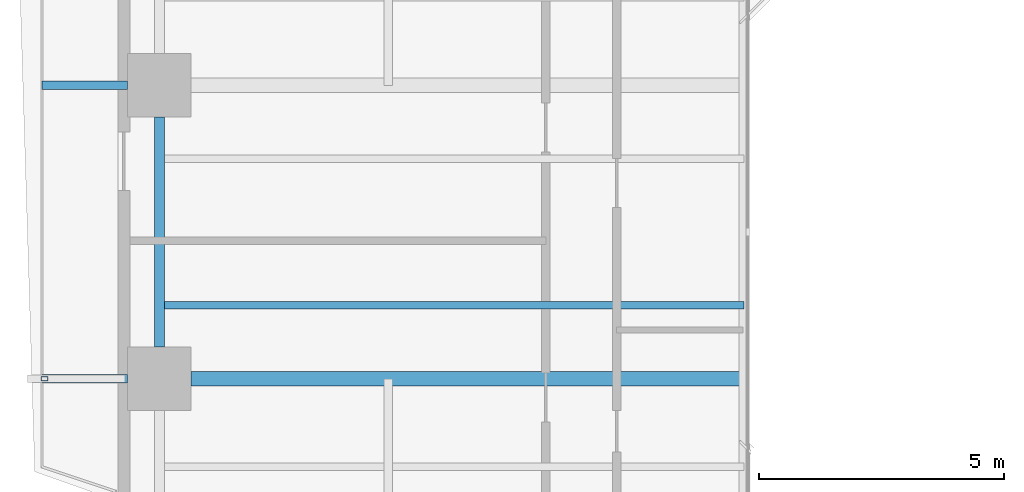
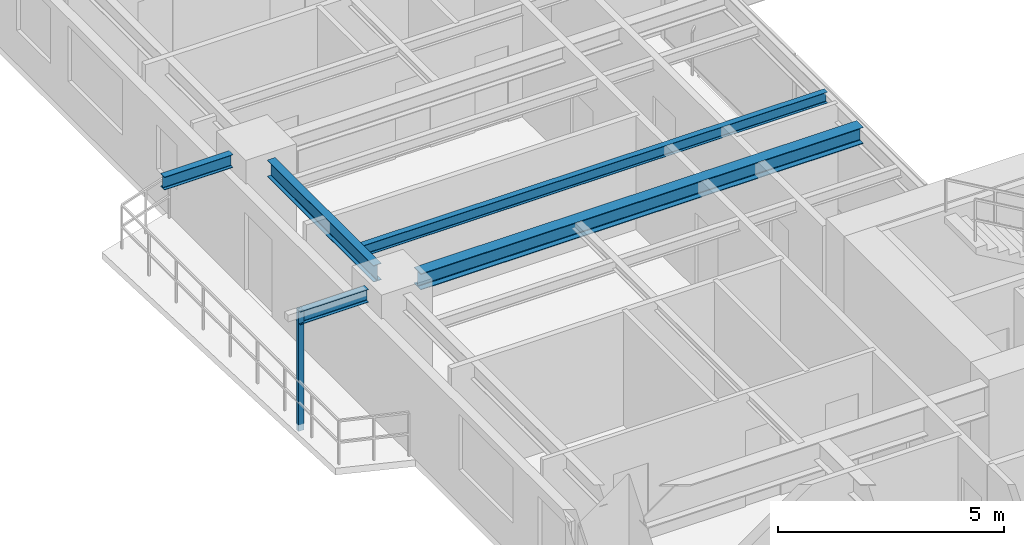
# One storey, part 3 of 23: 5 beams, 1 member.
"""IFC4 building model written with IfcOpenShell, lengths in metres."""

import ifcopenshell
import ifcopenshell.guid

model = None  # the IFC model being written
_history = None  # IfcOwnerHistory: only IFC2X3 demands one
_inside = {}  # id of a spatial element -> (the spatial element, [elements in it])
_under = {}  # id of a project, library or spatial element -> (it, [spatial elements below it])
_declared = {}  # id of a project -> (the project, [libraries it declares])
_typed = {}  # id of a type object -> (the type object, [elements of that type])
_made_of = {}  # id of a material, layer set ... -> (it, [elements and type objects made of it])


def new_model(schema):
    """Start an empty IFC model of exactly this schema.

    Asked for "IFC4X3", IfcOpenShell would pick the latest addendum, in which some entities
    have other attributes; the version numbers below select the first issue.
    IFC2X3 requires an IfcOwnerHistory on every rooted entity: one is made here for all.
    """
    global model, _history
    if schema == "IFC4X3":
        model = ifcopenshell.file(schema_version=(4, 3, 0, 0))
    else:
        model = ifcopenshell.file(schema=schema)
    _inside.clear()
    _under.clear()
    _declared.clear()
    _typed.clear()
    _made_of.clear()
    _history = None
    if model.schema == "IFC2X3":
        org = make("IfcOrganization", Name="unknown")
        user = make(
            "IfcPersonAndOrganization",
            ThePerson=make("IfcPerson", FamilyName="unknown"),
            TheOrganization=org,
        )
        app = make(
            "IfcApplication",
            ApplicationDeveloper=org,
            Version="unknown",
            ApplicationFullName="unknown",
            ApplicationIdentifier="unknown",
        )
        _history = make(
            "IfcOwnerHistory",
            OwningUser=user,
            OwningApplication=app,
            ChangeAction="ADDED",
            CreationDate=0,
        )
    return model


def make(cls, **values):
    """One entity of the class cls with the attributes given. An attribute that is None is left unset."""
    return model.create_entity(
        cls, **{name: value for name, value in values.items() if value is not None}
    )


def rooted(cls, **values):
    """An entity with a GlobalId (a new one), such as an element, a storey or a relation."""
    return make(cls, GlobalId=ifcopenshell.guid.new(), OwnerHistory=_history, **values)


def si_unit(unit_type, name, prefix=None):
    """IfcSIUnit, for example si_unit("LENGTHUNIT", "METRE", prefix="MILLI")."""
    return make("IfcSIUnit", UnitType=unit_type, Prefix=prefix, Name=name)


def assignment(units):
    """IfcUnitAssignment: the units of a project."""
    return None if units is None else make("IfcUnitAssignment", Units=units)


def point(xyz):
    """IfcCartesianPoint."""
    return None if xyz is None else make("IfcCartesianPoint", Coordinates=xyz)


def direction(xyz):
    """IfcDirection."""
    return None if xyz is None else make("IfcDirection", DirectionRatios=xyz)


def frame(location, z_axis=None, x_axis=None):
    """IfcAxis2Placement3D, a coordinate frame: its origin and axes. An axis left out is left unset."""
    return make(
        "IfcAxis2Placement3D",
        Location=point(location),
        Axis=direction(z_axis),
        RefDirection=direction(x_axis),
    )


def frame_2d(location, x_axis=None):
    """IfcAxis2Placement2D, a coordinate frame in the plane: its origin and x axis."""
    return make(
        "IfcAxis2Placement2D", Location=point(location), RefDirection=direction(x_axis)
    )


def origin():
    """The frame at (0, 0, 0) with its axes left unset."""
    return frame((0.0, 0.0, 0.0))


def origin_2d():
    """The frame at (0, 0) in the plane with its x axis left unset."""
    return frame_2d((0.0, 0.0))


def place(relative_to, where):
    """IfcLocalPlacement: puts the frame where relative to a parent placement (None: the world)."""
    return make(
        "IfcLocalPlacement", PlacementRelTo=relative_to, RelativePlacement=where
    )


def context(
    kind, dimensions, precision=None, world=None, true_north=None, identifier=None
):
    """IfcGeometricRepresentationContext, for example the 3D "Model" context."""
    return make(
        "IfcGeometricRepresentationContext",
        ContextIdentifier=identifier,
        ContextType=kind,
        CoordinateSpaceDimension=dimensions,
        Precision=precision,
        WorldCoordinateSystem=world,
        TrueNorth=true_north,
    )


def subcontext(parent, identifier, kind, view, scale=None):
    """IfcGeometricRepresentationSubContext, for example "Body" below "Model"."""
    return make(
        "IfcGeometricRepresentationSubContext",
        ContextIdentifier=identifier,
        ContextType=kind,
        ParentContext=parent,
        TargetScale=scale,
        TargetView=view,
    )


def project(units=None, contexts=None):
    """IfcProject with its units and contexts."""
    return rooted(
        "IfcProject",
        Name="project",
        RepresentationContexts=contexts,
        UnitsInContext=assignment(units),
    )


def spatial(cls, under=None, at=None, **own):
    """A site, building, storey or space (cls), placed at a placement, below another one or the project."""
    s = rooted(cls, ObjectPlacement=at, **own)
    if under is not None:
        _under.setdefault(under.id(), (under, []))[1].append(s)
    return s


def profile(cls, at=None, kind="AREA", **sizes):
    """A parametric profile (cls). Its sizes go by their IFC names, for example OverallWidth=200.0."""
    return make(cls, ProfileType=kind, Position=at, **sizes)


def hollow_rectangle(**sizes):
    """IfcRectangleHollowProfileDef."""
    return profile("IfcRectangleHollowProfileDef", **sizes)


def i_section(**sizes):
    """IfcIShapeProfileDef."""
    return profile("IfcIShapeProfileDef", **sizes)


def extrude(swept, where, along, depth):
    """IfcExtrudedAreaSolid: the profile swept, set in the frame where, extruded along a direction by depth."""
    return make(
        "IfcExtrudedAreaSolid",
        SweptArea=swept,
        Position=where,
        ExtrudedDirection=direction(along),
        Depth=depth,
    )


def shape(context_of_items, identifier, shape_type, items):
    """IfcShapeRepresentation: the items that make up one representation, for example the "Body"."""
    return make(
        "IfcShapeRepresentation",
        ContextOfItems=context_of_items,
        RepresentationIdentifier=identifier,
        RepresentationType=shape_type,
        Items=items,
    )


def source(mapping_origin, context_of_items, identifier, shape_type, items):
    """IfcRepresentationMap: a shape defined once, which mapped items show again and again."""
    return make(
        "IfcRepresentationMap",
        MappingOrigin=mapping_origin,
        MappedRepresentation=shape(context_of_items, identifier, shape_type, items),
    )


def transform(
    local_origin,
    x_axis=None,
    y_axis=None,
    z_axis=None,
    scale=None,
    scale2=None,
    scale3=None,
    uniform=True,
):
    """IfcCartesianTransformationOperator3D, or its non-uniform kind. x_axis, y_axis, z_axis: its Axis1, 2, 3."""
    if uniform:
        return make(
            "IfcCartesianTransformationOperator3D",
            Axis1=direction(x_axis),
            Axis2=direction(y_axis),
            LocalOrigin=point(local_origin),
            Scale=scale,
            Axis3=direction(z_axis),
        )
    return make(
        "IfcCartesianTransformationOperator3DnonUniform",
        Axis1=direction(x_axis),
        Axis2=direction(y_axis),
        LocalOrigin=point(local_origin),
        Scale=scale,
        Axis3=direction(z_axis),
        Scale2=scale2,
        Scale3=scale3,
    )


def mapped(mapping_source, mapping_target):
    """IfcMappedItem: shows the shape of a source again, moved by a transform."""
    return make(
        "IfcMappedItem", MappingSource=mapping_source, MappingTarget=mapping_target
    )


def material(Name=None, Category=None):
    """IfcMaterial."""
    return make("IfcMaterial", Name=Name, Category=Category)


def material_profile(
    of_material, cross_section, Name=None, Category=None, Priority=None
):
    """IfcMaterialProfile: a cross section and its material."""
    return make(
        "IfcMaterialProfile",
        Name=Name,
        Material=of_material,
        Profile=cross_section,
        Priority=Priority,
        Category=Category,
    )


def profile_set(profiles, Name=None, composite=None):
    """IfcMaterialProfileSet."""
    return make(
        "IfcMaterialProfileSet",
        Name=Name,
        MaterialProfiles=profiles,
        CompositeProfile=composite,
    )


def made_of(thing, what):
    """Note that an element or type object is made of a material, layer set ...; save() writes the relation."""
    if what is not None:
        _made_of.setdefault(what.id(), (what, []))[1].append(thing)
    return thing


def type_object(cls, material=None, **own):
    """A type object (cls), such as IfcWallType, which elements share."""
    return made_of(rooted(cls, **own), material)


def element(
    cls,
    number,
    at=None,
    inside=None,
    cuts=None,
    type_object=None,
    material=None,
    context=None,
    identifier="Body",
    shape_type=None,
    held_by="IfcProductDefinitionShape",
    body=None,
    shapes=None,
    **own,
):
    """One element of the class cls, such as IfcWall. Its Tag is "e" and its number.

    at: its placement. inside: the storey or other place that contains it. cuts: it is an
    opening in that element (IfcRelVoidsElement). A single representation is given by context,
    identifier, shape_type and body (its items); several are given by shapes. held_by: the class
    of the entity that holds the representations. save() writes the other relations.
    """
    e = rooted(cls, Tag="e%d" % number, ObjectPlacement=at, **own)
    if body is not None:
        shapes = [shape(context, identifier, shape_type, body)]
    if shapes is not None:
        e.Representation = make(held_by, Representations=shapes)
    if inside is not None:
        _inside.setdefault(inside.id(), (inside, []))[1].append(e)
    if cuts is not None:
        rooted(
            "IfcRelVoidsElement", RelatingBuildingElement=cuts, RelatedOpeningElement=e
        )
    if type_object is not None:
        _typed.setdefault(type_object.id(), (type_object, []))[1].append(e)
    return made_of(e, material)


def aggregate(whole, parts):
    """IfcRelAggregates: a whole, such as a stair, and the parts it consists of."""
    return rooted("IfcRelAggregates", RelatingObject=whole, RelatedObjects=parts)


def save(model, path):
    """Write the relations noted so far, then the file.

    IfcRelAggregates (storeys below a building ...), IfcRelContainedInSpatialStructure (elements
    in a storey), IfcRelDefinesByType, IfcRelAssociatesMaterial and IfcRelDeclares: one each for
    every whole, place, type object, material and project.
    """
    for whole, parts in _under.values():
        aggregate(whole, parts)
    for where, things in _inside.values():
        rooted(
            "IfcRelContainedInSpatialStructure",
            RelatedElements=things,
            RelatingStructure=where,
        )
    for kind, things in _typed.values():
        rooted("IfcRelDefinesByType", RelatedObjects=things, RelatingType=kind)
    for what, things in _made_of.values():
        rooted("IfcRelAssociatesMaterial", RelatedObjects=things, RelatingMaterial=what)
    for by, libraries in _declared.values():
        rooted("IfcRelDeclares", RelatingContext=by, RelatedDefinitions=libraries)
    model.write(path)


model = new_model("IFC4")

# Units and contexts
model_context = context("Model", 3, precision=1e-05, world=origin(), true_north=direction((0.0, 1.0)))
body_context = subcontext(model_context, "Body", "Model", "MODEL_VIEW")
ifc_project = project(units=[si_unit("LENGTHUNIT", "METRE"), si_unit("AREAUNIT", "SQUARE_METRE"), si_unit("VOLUMEUNIT", "CUBIC_METRE"), si_unit("PLANEANGLEUNIT", "RADIAN"), si_unit("MASSUNIT", "GRAM", prefix="KILO"), si_unit("THERMODYNAMICTEMPERATUREUNIT", "KELVIN"), si_unit("POWERUNIT", "WATT")], contexts=[model_context])

# Site, building, storey
site_placement = place(None, origin())
site = spatial("IfcSite", under=ifc_project, at=site_placement, CompositionType="ELEMENT")
building_placement = place(site_placement, origin())
building = spatial("IfcBuilding", under=site, at=building_placement, Name="Qiaomeng Ring Towers", CompositionType="ELEMENT")
storey_placement = place(building_placement, frame((0.0, 0.0, 60.0)))
storey = spatial("IfcBuildingStorey", under=building, at=storey_placement, Name="L16", CompositionType="ELEMENT", Elevation=60.0)

# Beams
ifc_material_1 = material(Name="Steel Q355B", Category="steel")
ifc_material_profile_1 = material_profile(ifc_material_1, i_section(OverallWidth=0.199951171875, OverallDepth=0.449951171875, WebThickness=0.009033203125, FlangeThickness=0.013916015625, FilletRadius=0.01806640625, at=origin_2d()), Name="HN 450x200x9x14")
ifc_profile_set_1 = profile_set([ifc_material_profile_1], Name="Steel Q355B")
beam_type_1 = type_object("IfcBeamType", Name="STR-BM-HN450", PredefinedType="SPANDREL", material=ifc_profile_set_1)
shared_shape_1 = source(origin(), body_context, "Body", "SweptSolid", [
    extrude(i_section(OverallWidth=0.199951171875, OverallDepth=0.449951171875, WebThickness=0.009033203125, FlangeThickness=0.013916015625, FilletRadius=0.01806640625, at=origin_2d()), origin(), (0.0, 0.0, 1.0), 4.7021484375),
])
beam_1_placement = place(storey_placement, frame((0.85009765625, 25.35107421875, 2.844970703125), z_axis=(0.0, -1.0, 0.0), x_axis=(1.0, 0.0, 0.0)))
element("IfcBeam", 1, at=beam_1_placement, inside=storey, type_object=beam_type_1, Name="L16 beam STR-SP-L16-T1-W3-W2", PredefinedType="SPANDREL", context=body_context, shape_type="MappedRepresentation", body=[
    mapped(shared_shape_1, transform((0.0, 0.0, 0.0), x_axis=(1.0, 0.0, 0.0), y_axis=(0.0, 1.0, 0.0), z_axis=(0.0, 0.0, 1.0), scale=1.0)),
])
ifc_material_profile_2 = material_profile(ifc_material_1, i_section(OverallWidth=0.300048828125, OverallDepth=0.43994140625, WebThickness=0.010986328125, FlangeThickness=0.01806640625, FilletRadius=0.02392578125, at=origin_2d()), Name="HM 440x300x11x18")
ifc_profile_set_2 = profile_set([ifc_material_profile_2], Name="Steel Q355B")
beam_type_2 = type_object("IfcBeamType", Name="STR-BM-HM440", PredefinedType="BEAM", material=ifc_profile_set_2)
shared_shape_2 = source(origin(), body_context, "Body", "SweptSolid", [
    extrude(i_section(OverallWidth=0.300048828125, OverallDepth=0.43994140625, WebThickness=0.010986328125, FlangeThickness=0.01806640625, FilletRadius=0.02392578125, at=origin_2d()), origin(), (0.0, 0.0, 1.0), 11.301025390625),
])
beam_2_placement = place(storey_placement, frame((1.4990234375, 20.0, 2.85009765625), z_axis=(1.0, 0.0, 0.0), x_axis=(0.0, 1.0, 0.0)))
element("IfcBeam", 2, at=beam_2_placement, inside=storey, type_object=beam_type_2, Name="L16 beam STR-BM-L16-T1-RAD-W2", PredefinedType="BEAM", context=body_context, shape_type="MappedRepresentation", body=[
    mapped(shared_shape_2, transform((0.0, 0.0, 0.0), x_axis=(1.0, 0.0, 0.0), y_axis=(0.0, 1.0, 0.0), z_axis=(0.0, 0.0, 1.0), scale=1.0)),
])
ifc_material_profile_3 = material_profile(ifc_material_1, i_section(OverallWidth=0.175048828125, OverallDepth=0.35009765625, WebThickness=0.007080078125, FlangeThickness=0.010986328125, FilletRadius=0.013916015625, at=origin_2d()), Name="HN 350x175x7x11")
ifc_profile_set_3 = profile_set([ifc_material_profile_3], Name="Steel Q355B")
beam_type_3 = type_object("IfcBeamType", Name="STR-BM-HN350", PredefinedType="JOIST", material=ifc_profile_set_3)
shared_shape_3 = source(origin(), body_context, "Body", "SweptSolid", [
    extrude(i_section(OverallWidth=0.175048828125, OverallDepth=0.35009765625, WebThickness=0.007080078125, FlangeThickness=0.010986328125, FilletRadius=0.013916015625, at=origin_2d()), origin(), (0.0, 0.0, 1.0), 1.7509765625),
])
for number, where, z_axis, x_axis, name in (
    (3, (-1.550048828125, 20.0, 2.89501953125), (1.0, 0.0, 0.0), (0.0, 1.0, 0.0), "L16 beam STR-BALBM-L16-W2"),
    (4, (-1.550048828125, 26.0, 2.89501953125), (1.0, 0.0, 0.0), (0.0, 1.0, 0.0), "L16 beam STR-BALBM-L16-W3"),
):
    element("IfcBeam", number, at=place(storey_placement, frame(where, z_axis=z_axis, x_axis=x_axis)), inside=storey, type_object=beam_type_3, Name=name, PredefinedType="JOIST", context=body_context, shape_type="MappedRepresentation", body=[
        mapped(shared_shape_3, transform((0.0, 0.0, 0.0), x_axis=(1.0, 0.0, 0.0), y_axis=(0.0, 1.0, 0.0), z_axis=(0.0, 0.0, 1.0), scale=1.0)),
    ])
ifc_material_profile_4 = material_profile(ifc_material_1, i_section(OverallWidth=0.14990234375, OverallDepth=0.300048828125, WebThickness=0.006591796875, FlangeThickness=0.009033203125, FilletRadius=0.012939453125, at=origin_2d()), Name="HN 300x150x6.5x9")
ifc_profile_set_4 = profile_set([ifc_material_profile_4], Name="Steel Q355B")
beam_type_4 = type_object("IfcBeamType", Name="STR-BM-HN300", PredefinedType="JOIST", material=ifc_profile_set_4)
shared_shape_4 = source(origin(), body_context, "Body", "SweptSolid", [
    extrude(i_section(OverallWidth=0.14990234375, OverallDepth=0.300048828125, WebThickness=0.006591796875, FlangeThickness=0.009033203125, FilletRadius=0.012939453125, at=origin_2d()), origin(), (0.0, 0.0, 1.0), 11.949951171875),
])
beam_3_placement = place(storey_placement, frame((0.85009765625, 21.5, 2.919921875), z_axis=(1.0, 0.0, 0.0), x_axis=(0.0, 1.0, 0.0)))
element("IfcBeam", 5, at=beam_3_placement, inside=storey, type_object=beam_type_4, Name="L16 beam STR-JST-L16-T1W-2", PredefinedType="JOIST", context=body_context, shape_type="MappedRepresentation", body=[
    mapped(shared_shape_4, transform((0.0, 0.0, 0.0), x_axis=(1.0, 0.0, 0.0), y_axis=(0.0, 1.0, 0.0), z_axis=(0.0, 0.0, 1.0), scale=1.0)),
])

# Member
ifc_material_2 = material(Name="Stainless steel 316", Category="steel")
ifc_material_profile_5 = material_profile(ifc_material_2, hollow_rectangle(XDim=0.090087890625, YDim=0.139892578125, WallThickness=0.0048828125, at=origin_2d()), Name="SS TRELLIS 90x140")
ifc_profile_set_5 = profile_set([ifc_material_profile_5], Name="Stainless steel 316")
member_type = type_object("IfcMemberType", Name="ARC-TR-POST1", PredefinedType="STUD", material=ifc_profile_set_5)
shared_shape_5 = source(origin(), body_context, "Body", "SweptSolid", [
    extrude(hollow_rectangle(XDim=0.090087890625, YDim=0.139892578125, WallThickness=0.0048828125, at=origin_2d()), origin(), (0.0, 0.0, 1.0), 3.25),
])
member_placement = place(storey_placement, frame((-1.5, 20.0, -0.179931640625), z_axis=(0.0, 0.0, 1.0), x_axis=(0.0, 1.0, 0.0)))
element("IfcMember", 6, at=member_placement, inside=storey, type_object=member_type, Name="L16 Outer Ventilated Trellis Post W", PredefinedType="STUD", context=body_context, shape_type="MappedRepresentation", body=[
    mapped(shared_shape_5, transform((0.0, 0.0, 0.0), x_axis=(1.0, 0.0, 0.0), y_axis=(0.0, 1.0, 0.0), z_axis=(0.0, 0.0, 1.0), scale=1.0)),
])

save(model, "model.ifc")
